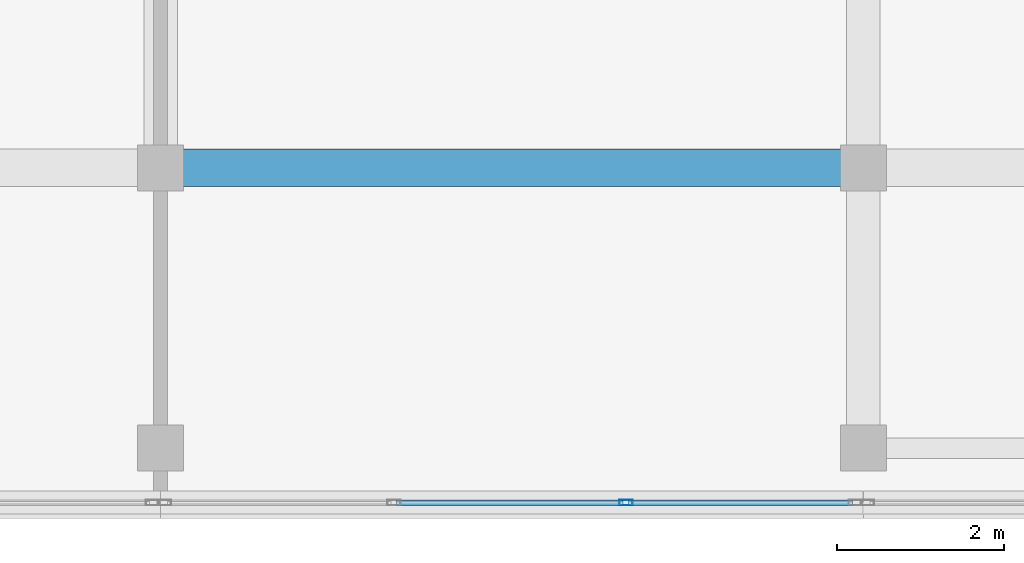
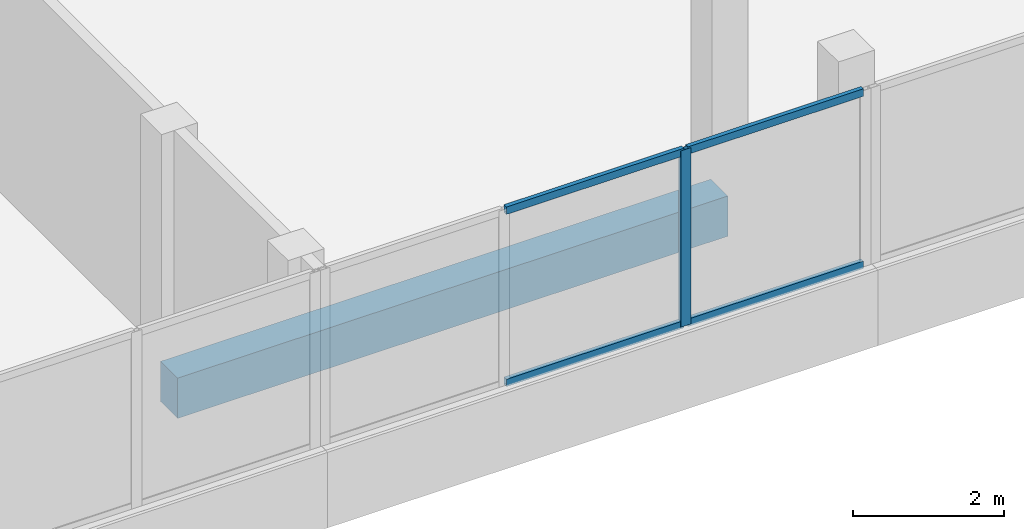
# One storey, part 3 of 66: 5 members, 1 beam, 1 element without a shape of its own.
"""IFC4 building model written with IfcOpenShell, lengths in metres."""

from ifc_helpers import new_model, si_unit, direction, frame, origin, origin_2d, place, context, subcontext, project, spatial, rectangle, hollow_rectangle, extrude, material, material_profile, profile_set, type_object, element, aggregate, save


model = new_model("IFC4")

# Units and contexts
model_context = context("Model", 3, precision=1e-05, world=origin(), true_north=direction((0.0, 1.0)))
body_context = subcontext(model_context, "Body", "Model", "MODEL_VIEW")
ifc_project = project(units=[si_unit("LENGTHUNIT", "METRE"), si_unit("AREAUNIT", "SQUARE_METRE"), si_unit("VOLUMEUNIT", "CUBIC_METRE"), si_unit("PLANEANGLEUNIT", "RADIAN"), si_unit("MASSUNIT", "GRAM", prefix="KILO")], contexts=[model_context])

# Site, building, storey
site_placement = place(None, origin())
site = spatial("IfcSite", under=ifc_project, at=site_placement, CompositionType="ELEMENT")
building_placement = place(site_placement, origin())
building = spatial("IfcBuilding", under=site, at=building_placement, Name="Selatvlak General Hospital", CompositionType="ELEMENT")
storey_placement = place(building_placement, frame((0.0, 0.0, 31.35009765625)))
storey = spatial("IfcBuildingStorey", under=building, at=storey_placement, Name="L07", CompositionType="ELEMENT", Elevation=31.35009765625)

# Beam
ifc_material_1 = material(Name="Concrete C40/50", Category="concrete")
ifc_material_profile_1 = material_profile(ifc_material_1, rectangle(XDim=0.449951171875, YDim=0.64990234375, at=origin_2d()), Name="RC-BM 450x650")
ifc_profile_set_1 = profile_set([ifc_material_profile_1], Name="Concrete C40/50")
beam_type = type_object("IfcBeamType", Name="BM-G04", PredefinedType="BEAM", material=ifc_profile_set_1)
beam_placement = place(storey_placement, frame((31.199951171875, 92.0, -0.59521484375), z_axis=(1.0, 0.0, 0.0), x_axis=(0.0, 1.0, 0.0)))
element("IfcBeam", 1, at=beam_placement, inside=storey, type_object=beam_type, Name="Beam BMR-L07-2382", PredefinedType="BEAM", context=body_context, shape_type="SweptSolid", body=[
    extrude(rectangle(XDim=0.449951171875, YDim=0.64990234375, at=origin_2d()), origin(), (0.0, 0.0, 1.0), 8.400146484375),
])

# Curtain wall, members
ifc_material_2 = material(Name="Solar-control Low-E double glazing", Category="glass")
curtain_wall_type = type_object("IfcCurtainWallType", Name="CW-CW-02", PredefinedType="USERDEFINED", material=ifc_material_2)
curtain_wall_placement = place(storey_placement, origin())
curtain_wall = element("IfcCurtainWall", 2, at=curtain_wall_placement, inside=storey, type_object=curtain_wall_type, Name="Glazed facade curtain wall CW-L07-0678", ObjectType="UNITISED CURTAIN WALL", PredefinedType="USERDEFINED")
ifc_material_3 = material(Name="Dark anodised aluminium mullion", Category="aluminium")
ifc_material_profile_2 = material_profile(ifc_material_3, hollow_rectangle(XDim=0.06494140625, YDim=0.159912109375, WallThickness=0.00390625, at=origin_2d()), Name="AL-MUL 65x160x4")
ifc_profile_set_2 = profile_set([ifc_material_profile_2], Name="Dark anodised aluminium mullion")
member_type_1 = type_object("IfcMemberType", Name="CWM-01", PredefinedType="MULLION", material=ifc_profile_set_2)
member_1_placement = place(storey_placement, frame((36.76171875, 88.0, 0.93994140625), z_axis=(0.0, 0.0, 1.0), x_axis=(0.0, -1.0, 0.0)))
member_1 = element("IfcMember", 3, at=member_1_placement, type_object=member_type_1, Name="CW-02 mullion 2", PredefinedType="MULLION", context=body_context, shape_type="SweptSolid", body=[
    extrude(hollow_rectangle(XDim=0.06494140625, YDim=0.159912109375, WallThickness=0.00390625, at=origin_2d()), origin(), (0.0, 0.0, 1.0), 2.844970703125),
])
ifc_material_profile_3 = material_profile(ifc_material_3, hollow_rectangle(XDim=0.06494140625, YDim=0.1201171875, WallThickness=0.00390625, at=origin_2d()), Name="AL-TRN 65x120x4")
ifc_profile_set_3 = profile_set([ifc_material_profile_3], Name="Dark anodised aluminium mullion")
member_type_2 = type_object("IfcMemberType", Name="CWT-01", PredefinedType="USERDEFINED", material=ifc_profile_set_3)
member_2_placement = place(storey_placement, frame((39.469970703125, 88.0, 0.972412109375), z_axis=(-1.0, 0.0, 0.0), x_axis=(0.0, -1.0, 0.0)))
member_2 = element("IfcMember", 4, at=member_2_placement, type_object=member_type_2, Name="CW-02 transom 1.1", ObjectType="TRANSOM", PredefinedType="USERDEFINED", context=body_context, shape_type="SweptSolid", body=[
    extrude(hollow_rectangle(XDim=0.06494140625, YDim=0.1201171875, WallThickness=0.00390625, at=origin_2d()), origin(), (0.0, 0.0, 1.0), 2.67578125),
])
member_3_placement = place(storey_placement, frame((39.469970703125, 88.0, 3.75244140625), z_axis=(-1.0, 0.0, 0.0), x_axis=(0.0, -1.0, 0.0)))
member_3 = element("IfcMember", 5, at=member_3_placement, type_object=member_type_2, Name="CW-02 transom 1.2", ObjectType="TRANSOM", PredefinedType="USERDEFINED", context=body_context, shape_type="SweptSolid", body=[
    extrude(hollow_rectangle(XDim=0.06494140625, YDim=0.1201171875, WallThickness=0.00390625, at=origin_2d()), origin(), (0.0, 0.0, 1.0), 2.67578125),
])
member_4_placement = place(storey_placement, frame((36.729248046875, 88.0, 0.972412109375), z_axis=(-1.0, 0.0, 0.0), x_axis=(0.0, -1.0, 0.0)))
member_4 = element("IfcMember", 6, at=member_4_placement, type_object=member_type_2, Name="CW-02 transom 2.1", ObjectType="TRANSOM", PredefinedType="USERDEFINED", context=body_context, shape_type="SweptSolid", body=[
    extrude(hollow_rectangle(XDim=0.06494140625, YDim=0.1201171875, WallThickness=0.00390625, at=origin_2d()), origin(), (0.0, 0.0, 1.0), 2.70849609375),
])
member_5_placement = place(storey_placement, frame((36.729248046875, 88.0, 3.75244140625), z_axis=(-1.0, 0.0, 0.0), x_axis=(0.0, -1.0, 0.0)))
member_5 = element("IfcMember", 7, at=member_5_placement, type_object=member_type_2, Name="CW-02 transom 2.2", ObjectType="TRANSOM", PredefinedType="USERDEFINED", context=body_context, shape_type="SweptSolid", body=[
    extrude(hollow_rectangle(XDim=0.06494140625, YDim=0.1201171875, WallThickness=0.00390625, at=origin_2d()), origin(), (0.0, 0.0, 1.0), 2.70849609375),
])
aggregate(curtain_wall, [member_1, member_2, member_3, member_4, member_5])

save(model, "model.ifc")
